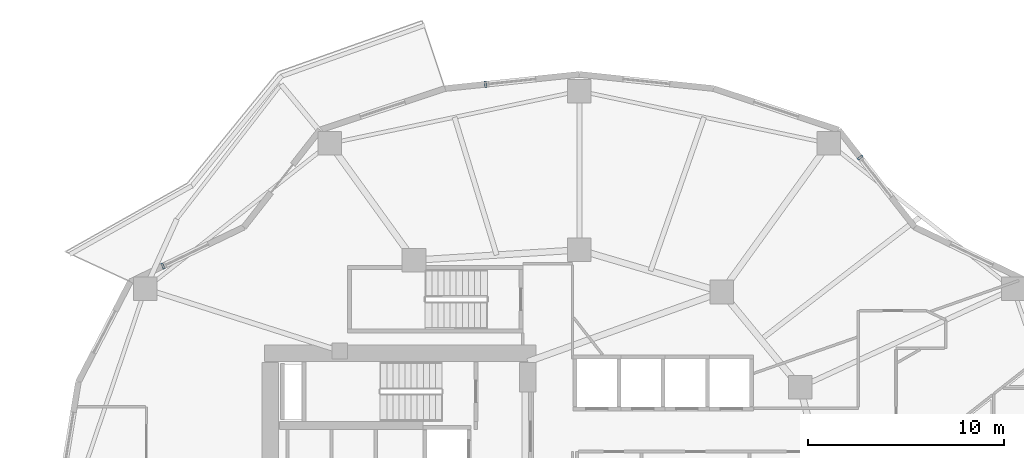
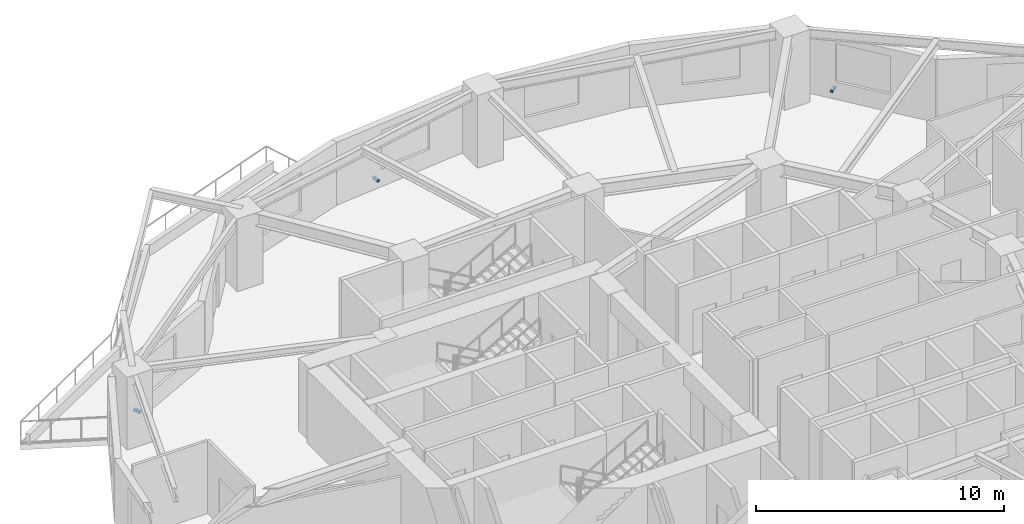
# One storey, part 11 of 16: 3 discrete accessories.
"""IFC4 building model written with IfcOpenShell, lengths in metres."""

from ifc_helpers import new_model, si_unit, direction, frame, origin, origin_2d, place, context, subcontext, project, spatial, rectangle, extrude, material, type_object, element, save


model = new_model("IFC4")

# Units and contexts
model_context = context("Model", 3, precision=1e-05, world=origin(), true_north=direction((0.0, 1.0)))
body_context = subcontext(model_context, "Body", "Model", "MODEL_VIEW")
ifc_project = project(units=[si_unit("LENGTHUNIT", "METRE"), si_unit("AREAUNIT", "SQUARE_METRE"), si_unit("VOLUMEUNIT", "CUBIC_METRE"), si_unit("PLANEANGLEUNIT", "RADIAN"), si_unit("MASSUNIT", "GRAM", prefix="KILO")], contexts=[model_context])

# Site, building, storey
site_placement = place(None, origin())
site = spatial("IfcSite", under=ifc_project, at=site_placement, CompositionType="ELEMENT")
building_placement = place(site_placement, origin())
building = spatial("IfcBuilding", under=site, at=building_placement, Name="Kolvaren Gate Tower and Convention Centre", CompositionType="ELEMENT")
storey_placement = place(building_placement, frame((0.0, 0.0, 65.0)))
storey = spatial("IfcBuildingStorey", under=building, at=storey_placement, Name="L15", CompositionType="ELEMENT", Elevation=65.0)

# Discrete accessories
ifc_material = material(Name="Anodized Architectural Aluminium Alloy 6063-T6", Category="aluminium")
discrete_accessory_type = type_object("IfcDiscreteAccessoryType", Name="ARCH-ACC-BRACKET-120", PredefinedType="BRACKET", material=ifc_material)
for number, where, z_axis, x_axis, name in (
    (1, (44.4453125, 43.9091796875, 0.2900390625), (0.0, 0.0, 1.0), (0.616431370541, -0.787408639407, 0.0), "Ceramic Fin Wall Anchor Bracket FBK-L15-03"),
    (2, (25.35107421875, 47.647216796875, 0.2900390625), (0.0, 0.0, 1.0), (0.994498884311, 0.104747167526, 0.0), "Ceramic Fin Wall Anchor Bracket FBK-L15-06"),
    (3, (8.901611328125, 38.37841796875, 0.2900390625), (0.0, 0.0, 1.0), (0.901357634097, 0.433075530889, 0.0), "Ceramic Fin Wall Anchor Bracket FBK-L15-09"),
):
    element("IfcDiscreteAccessory", number, at=place(storey_placement, frame(where, z_axis=z_axis, x_axis=x_axis)), inside=storey, type_object=discrete_accessory_type, Name=name, PredefinedType="BRACKET", context=body_context, shape_type="SweptSolid", body=[
        extrude(rectangle(XDim=0.1201171875, YDim=0.320068359375, at=origin_2d()), origin(), (0.0, 0.0, 1.0), 0.1201171875),
    ])

save(model, "model.ifc")
